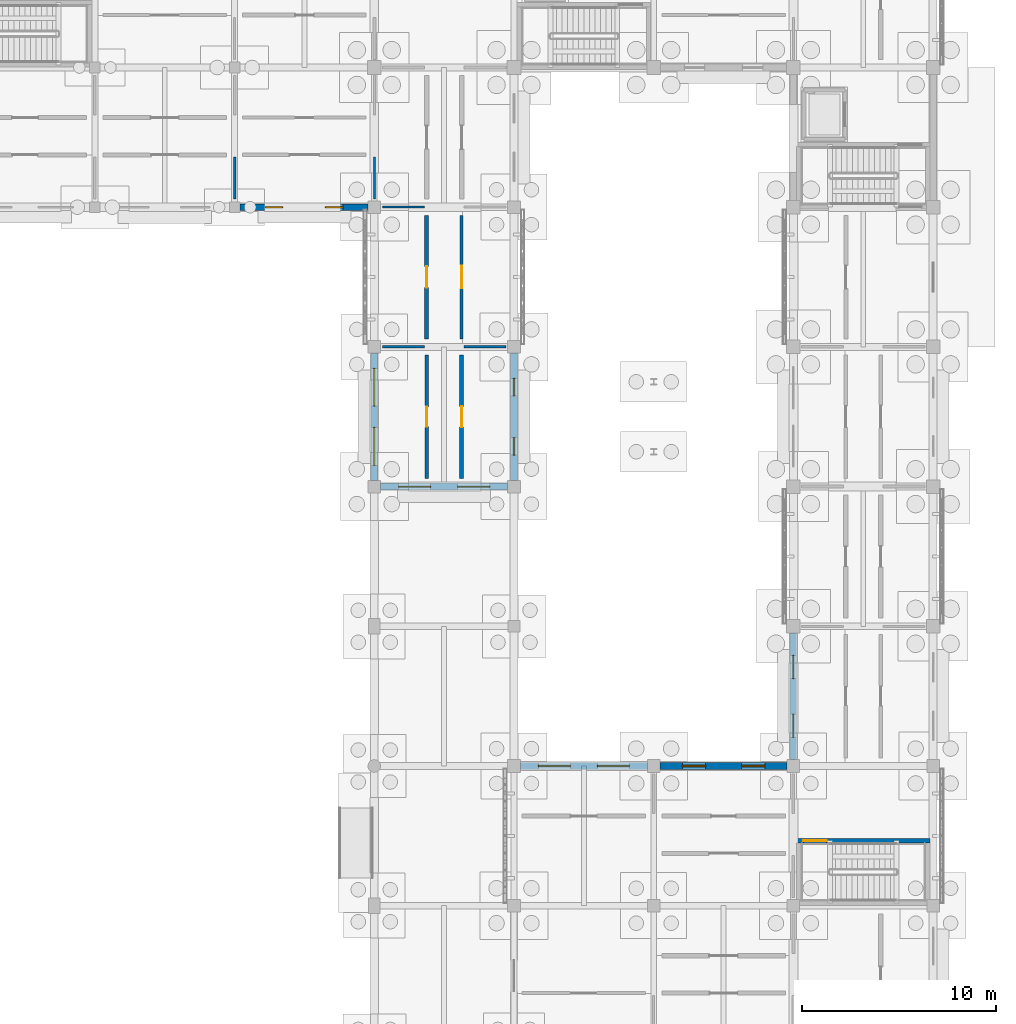
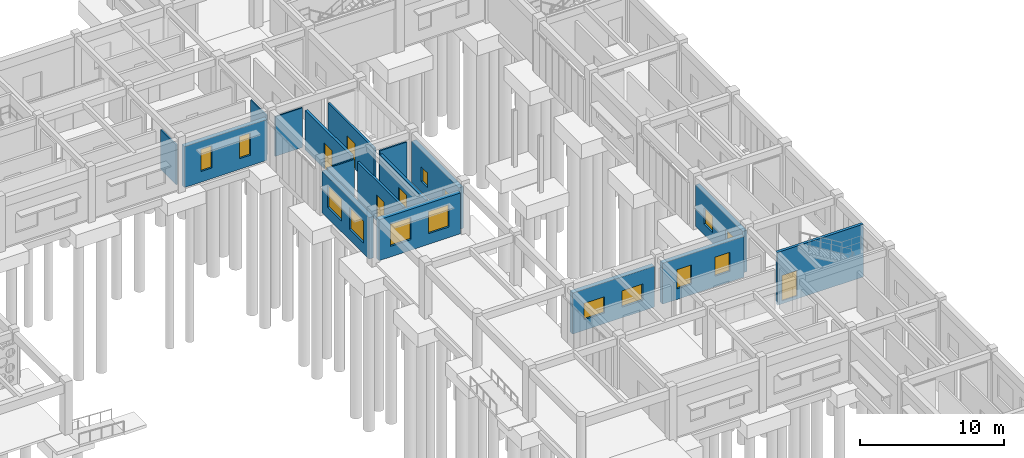
# One storey, part 80 of 111: 17 walls, 14 windows, 5 doors, 19 openings.
"""IFC4 building model written with IfcOpenShell, lengths in metres."""

from ifc_helpers import new_model, si_unit, direction, frame, frame_2d, origin, place, context, subcontext, project, spatial, rectangle, extrude, material, layer, layer_set, type_object, element, fill, save


model = new_model("IFC4")

# Units and contexts
model_context = context("Model", 3, precision=1e-05, world=origin(), true_north=direction((0.0, 1.0)))
body_context = subcontext(model_context, "Body", "Model", "MODEL_VIEW")
ifc_project = project(units=[si_unit("LENGTHUNIT", "METRE"), si_unit("AREAUNIT", "SQUARE_METRE"), si_unit("VOLUMEUNIT", "CUBIC_METRE"), si_unit("PLANEANGLEUNIT", "RADIAN"), si_unit("MASSUNIT", "GRAM", prefix="KILO")], contexts=[model_context])

# Site, building, storey
site_placement = place(None, origin())
site = spatial("IfcSite", under=ifc_project, at=site_placement, CompositionType="ELEMENT")
building_placement = place(site_placement, origin())
building = spatial("IfcBuilding", under=site, at=building_placement, Name="Aldebral Square Health Centre", CompositionType="ELEMENT")
storey_placement = place(building_placement, origin())
storey = spatial("IfcBuildingStorey", under=building, at=storey_placement, Name="L00", CompositionType="ELEMENT", Elevation=0.0)

# Wall, openings, windows
ifc_material_1 = material(Name="Cream cantera stone and concrete wall C35/45", Category="masonry")
ifc_layer_1 = layer(ifc_material_1, 0.340087890625, Name="Cream cantera stone and concrete wall C35/45", Category="masonry")
ifc_layer_set_1 = layer_set([ifc_layer_1], Name="Cream cantera stone and concrete wall C35/45")
wall_type_1 = type_object("IfcWallType", Name="EW-CAN-340", PredefinedType="SOLIDWALL", material=ifc_layer_set_1)
wall_1_placement = place(storey_placement, frame((129.875, 93.60009765625, 0.0), z_axis=(0.0, 0.0, 1.0), x_axis=(1.0, 0.0, 0.0)))
wall_1 = element("IfcWall", 1, at=wall_1_placement, inside=storey, type_object=wall_type_1, Name="L00 V5 exterior wall L00-V5-18-13-S", PredefinedType="SOLIDWALL", context=body_context, shape_type="SweptSolid", body=[
    extrude(rectangle(XDim=6.60009765625, YDim=0.340087890625, at=frame_2d((3.300048828125, 0.0))), origin(), (0.0, 0.0, 1.0), 3.469970703125),
])
opening_1_placement = place(wall_1_placement, frame((1.300048828125, 0.0, 0.89990234375)))
opening_1 = element("IfcOpeningElement", 2, at=opening_1_placement, cuts=wall_1, Name="Opening W46", PredefinedType="OPENING", context=body_context, shape_type="SweptSolid", body=[
    extrude(rectangle(XDim=0.89990234375, YDim=1.8798828125, at=frame_2d((0.449951171875, 0.93994140625))), frame((0.0, 0.18017578125, 0.0), z_axis=(0.0, -1.0, 0.0), x_axis=(1.0, 0.0, 0.0)), (0.0, 0.0, 1.0), 0.360107421875),
])
opening_2_placement = place(wall_1_placement, frame((4.39990234375, 0.0, 0.89990234375)))
opening_2 = element("IfcOpeningElement", 3, at=opening_2_placement, cuts=wall_1, Name="Opening W46", PredefinedType="OPENING", context=body_context, shape_type="SweptSolid", body=[
    extrude(rectangle(XDim=0.89990234375, YDim=1.8798828125, at=frame_2d((0.449951171875, 0.93994140625))), frame((0.0, 0.18017578125, 0.0), z_axis=(0.0, -1.0, 0.0), x_axis=(1.0, 0.0, 0.0)), (0.0, 0.0, 1.0), 0.360107421875),
])
ifc_material_2 = material(Name="Thermally broken aluminium and low-E glass", Category="aluminium")
window_type_1 = type_object("IfcWindowType", Name="WIN-W46", PartitioningType="SINGLE_PANEL", PredefinedType="WINDOW", material=ifc_material_2)
window_1_placement = place(opening_1_placement, origin())
window_1 = element("IfcWindow", 4, at=window_1_placement, inside=storey, type_object=window_type_1, Name="L00 clinical window L00-V5-18-13-S.1", OverallHeight=1.8798828125, OverallWidth=0.89990234375, PartitioningType="SINGLE_PANEL", PredefinedType="WINDOW", context=body_context, shape_type="SweptSolid", body=[
    extrude(rectangle(XDim=0.89990234375, YDim=1.8798828125, at=frame_2d((0.449951171875, 0.93994140625))), frame((0.0, 0.030029296875, 0.0), z_axis=(0.0, -1.0, 0.0), x_axis=(1.0, 0.0, 0.0)), (0.0, 0.0, 1.0), 0.06005859375),
])
fill(opening_1, window_1)
window_2_placement = place(opening_2_placement, origin())
window_2 = element("IfcWindow", 5, at=window_2_placement, inside=storey, type_object=window_type_1, Name="L00 clinical window L00-V5-18-13-S.2", OverallHeight=1.8798828125, OverallWidth=0.89990234375, PartitioningType="SINGLE_PANEL", PredefinedType="WINDOW", context=body_context, shape_type="SweptSolid", body=[
    extrude(rectangle(XDim=0.89990234375, YDim=1.8798828125, at=frame_2d((0.449951171875, 0.93994140625))), frame((0.0, 0.030029296875, 0.0), z_axis=(0.0, -1.0, 0.0), x_axis=(1.0, 0.0, 0.0)), (0.0, 0.0, 1.0), 0.06005859375),
])
fill(opening_2, window_2)

wall_2_placement = place(storey_placement, frame((158.074951171875, 64.800048828125, 0.0), z_axis=(0.0, 0.0, 1.0), x_axis=(-1.0, 0.0, 0.0)))
wall_2 = element("IfcWall", 6, at=wall_2_placement, inside=storey, type_object=wall_type_1, Name="L00 V5 exterior wall L00-V5-21-08-N", PredefinedType="SOLIDWALL", context=body_context, shape_type="SweptSolid", body=[
    extrude(rectangle(XDim=6.550048828125, YDim=0.340087890625, at=frame_2d((3.27490234375, 0.0))), origin(), (0.0, 0.0, 1.0), 3.469970703125),
])
opening_3_placement = place(wall_2_placement, frame((1.14990234375, 0.0, 0.89990234375)))
opening_3 = element("IfcOpeningElement", 7, at=opening_3_placement, cuts=wall_2, Name="Opening W30", PredefinedType="OPENING", context=body_context, shape_type="SweptSolid", body=[
    extrude(rectangle(XDim=1.199951171875, YDim=1.6201171875, at=frame_2d((0.60009765625, 0.81005859375))), frame((0.0, 0.18017578125, 0.0), z_axis=(0.0, -1.0, 0.0), x_axis=(1.0, 0.0, 0.0)), (0.0, 0.0, 1.0), 0.360107421875),
])
opening_4_placement = place(wall_2_placement, frame((4.199951171875, 0.0, 0.89990234375)))
opening_4 = element("IfcOpeningElement", 8, at=opening_4_placement, cuts=wall_2, Name="Opening W30", PredefinedType="OPENING", context=body_context, shape_type="SweptSolid", body=[
    extrude(rectangle(XDim=1.199951171875, YDim=1.6201171875, at=frame_2d((0.60009765625, 0.81005859375))), frame((0.0, 0.18017578125, 0.0), z_axis=(0.0, -1.0, 0.0), x_axis=(1.0, 0.0, 0.0)), (0.0, 0.0, 1.0), 0.360107421875),
])
window_type_2 = type_object("IfcWindowType", Name="WIN-W30", PartitioningType="SINGLE_PANEL", PredefinedType="WINDOW", material=ifc_material_2)
window_3_placement = place(opening_3_placement, origin())
window_3 = element("IfcWindow", 9, at=window_3_placement, inside=storey, type_object=window_type_2, Name="L00 clinical window L00-V5-21-08-N.1", OverallHeight=1.6201171875, OverallWidth=1.199951171875, PartitioningType="SINGLE_PANEL", PredefinedType="WINDOW", context=body_context, shape_type="SweptSolid", body=[
    extrude(rectangle(XDim=1.199951171875, YDim=1.6201171875, at=frame_2d((0.60009765625, 0.81005859375))), frame((0.0, 0.030029296875, 0.0), z_axis=(0.0, -1.0, 0.0), x_axis=(1.0, 0.0, 0.0)), (0.0, 0.0, 1.0), 0.06005859375),
])
fill(opening_3, window_3)
window_4_placement = place(opening_4_placement, origin())
window_4 = element("IfcWindow", 10, at=window_4_placement, inside=storey, type_object=window_type_2, Name="L00 clinical window L00-V5-21-08-N.2", OverallHeight=1.6201171875, OverallWidth=1.199951171875, PartitioningType="SINGLE_PANEL", PredefinedType="WINDOW", context=body_context, shape_type="SweptSolid", body=[
    extrude(rectangle(XDim=1.199951171875, YDim=1.6201171875, at=frame_2d((0.60009765625, 0.81005859375))), frame((0.0, 0.030029296875, 0.0), z_axis=(0.0, -1.0, 0.0), x_axis=(1.0, 0.0, 0.0)), (0.0, 0.0, 1.0), 0.06005859375),
])
fill(opening_4, window_4)

wall_3_placement = place(storey_placement, frame((158.39990234375, 71.64990234375, 0.0), z_axis=(0.0, 0.0, 1.0), x_axis=(0.0, -1.0, 0.0)))
wall_3 = element("IfcWall", 11, at=wall_3_placement, inside=storey, type_object=wall_type_1, Name="L00 V5 exterior wall L00-V5-22-09-W", PredefinedType="SOLIDWALL", context=body_context, shape_type="SweptSolid", body=[
    extrude(rectangle(XDim=6.52490234375, YDim=0.340087890625, at=frame_2d((3.262451171875, 0.0))), origin(), (0.0, 0.0, 1.0), 3.52001953125),
])
opening_5_placement = place(wall_3_placement, frame((1.14990234375, 0.0, 0.89990234375)))
opening_5 = element("IfcOpeningElement", 12, at=opening_5_placement, cuts=wall_3, Name="Opening W12", PredefinedType="OPENING", context=body_context, shape_type="SweptSolid", body=[
    extrude(rectangle(XDim=1.199951171875, YDim=1.3798828125, at=frame_2d((0.60009765625, 0.68994140625))), frame((0.0, 0.18017578125, 0.0), z_axis=(0.0, -1.0, 0.0), x_axis=(1.0, 0.0, 0.0)), (0.0, 0.0, 1.0), 0.360107421875),
])
opening_6_placement = place(wall_3_placement, frame((4.175048828125, 0.0, 0.89990234375)))
opening_6 = element("IfcOpeningElement", 13, at=opening_6_placement, cuts=wall_3, Name="Opening W12", PredefinedType="OPENING", context=body_context, shape_type="SweptSolid", body=[
    extrude(rectangle(XDim=1.199951171875, YDim=1.3798828125, at=frame_2d((0.60009765625, 0.68994140625))), frame((0.0, 0.18017578125, 0.0), z_axis=(0.0, -1.0, 0.0), x_axis=(1.0, 0.0, 0.0)), (0.0, 0.0, 1.0), 0.360107421875),
])
window_type_3 = type_object("IfcWindowType", Name="WIN-W12", PartitioningType="SINGLE_PANEL", PredefinedType="WINDOW", material=ifc_material_2)
window_5_placement = place(opening_5_placement, origin())
window_5 = element("IfcWindow", 14, at=window_5_placement, inside=storey, type_object=window_type_3, Name="L00 clinical window L00-V5-22-09-W.1", OverallHeight=1.3798828125, OverallWidth=1.199951171875, PartitioningType="SINGLE_PANEL", PredefinedType="WINDOW", context=body_context, shape_type="SweptSolid", body=[
    extrude(rectangle(XDim=1.199951171875, YDim=1.3798828125, at=frame_2d((0.60009765625, 0.68994140625))), frame((0.0, 0.030029296875, 0.0), z_axis=(0.0, -1.0, 0.0), x_axis=(1.0, 0.0, 0.0)), (0.0, 0.0, 1.0), 0.06005859375),
])
fill(opening_5, window_5)
window_6_placement = place(opening_6_placement, origin())
window_6 = element("IfcWindow", 15, at=window_6_placement, inside=storey, type_object=window_type_3, Name="L00 clinical window L00-V5-22-09-W.2", OverallHeight=1.3798828125, OverallWidth=1.199951171875, PartitioningType="SINGLE_PANEL", PredefinedType="WINDOW", context=body_context, shape_type="SweptSolid", body=[
    extrude(rectangle(XDim=1.199951171875, YDim=1.3798828125, at=frame_2d((0.60009765625, 0.68994140625))), frame((0.0, 0.030029296875, 0.0), z_axis=(0.0, -1.0, 0.0), x_axis=(1.0, 0.0, 0.0)), (0.0, 0.0, 1.0), 0.06005859375),
])
fill(opening_6, window_6)

ifc_layer_2 = layer(ifc_material_1, 0.360107421875, Name="Cream cantera stone and concrete wall C35/45", Category="masonry")
ifc_layer_set_2 = layer_set([ifc_layer_2], Name="Cream cantera stone and concrete wall C35/45")
wall_type_2 = type_object("IfcWallType", Name="EW-CAN-360", PredefinedType="SOLIDWALL", material=ifc_layer_set_2)
wall_4_placement = place(storey_placement, frame((137.125, 79.199951171875, 0.0), z_axis=(0.0, 0.0, 1.0), x_axis=(1.0, 0.0, 0.0)))
wall_4 = element("IfcWall", 16, at=wall_4_placement, inside=storey, type_object=wall_type_2, Name="L00 V5 exterior wall L00-V5-19-11-S", PredefinedType="SOLIDWALL", context=body_context, shape_type="SweptSolid", body=[
    extrude(rectangle(XDim=6.550048828125, YDim=0.360107421875, at=frame_2d((3.27490234375, 0.0))), origin(), (0.0, 0.0, 1.0), 3.469970703125),
])
opening_7_placement = place(wall_4_placement, frame((0.925048828125, 0.0, 0.89990234375)))
opening_7 = element("IfcOpeningElement", 17, at=opening_7_placement, cuts=wall_4, Name="Opening W51", PredefinedType="OPENING", context=body_context, shape_type="SweptSolid", body=[
    extrude(rectangle(XDim=1.64990234375, YDim=1.8798828125, at=frame_2d((0.824951171875, 0.93994140625))), frame((0.0, 0.18994140625, 0.0), z_axis=(0.0, -1.0, 0.0), x_axis=(1.0, 0.0, 0.0)), (0.0, 0.0, 1.0), 0.380126953125),
])
opening_8_placement = place(wall_4_placement, frame((3.97509765625, 0.0, 0.89990234375)))
opening_8 = element("IfcOpeningElement", 18, at=opening_8_placement, cuts=wall_4, Name="Opening W51", PredefinedType="OPENING", context=body_context, shape_type="SweptSolid", body=[
    extrude(rectangle(XDim=1.64990234375, YDim=1.8798828125, at=frame_2d((0.824951171875, 0.93994140625))), frame((0.0, 0.18994140625, 0.0), z_axis=(0.0, -1.0, 0.0), x_axis=(1.0, 0.0, 0.0)), (0.0, 0.0, 1.0), 0.380126953125),
])
window_type_4 = type_object("IfcWindowType", Name="WIN-W51", PartitioningType="SINGLE_PANEL", PredefinedType="WINDOW", material=ifc_material_2)
window_7_placement = place(opening_7_placement, origin())
window_7 = element("IfcWindow", 19, at=window_7_placement, inside=storey, type_object=window_type_4, Name="L00 clinical window L00-V5-19-11-S.1", OverallHeight=1.8798828125, OverallWidth=1.64990234375, PartitioningType="SINGLE_PANEL", PredefinedType="WINDOW", context=body_context, shape_type="SweptSolid", body=[
    extrude(rectangle(XDim=1.64990234375, YDim=1.8798828125, at=frame_2d((0.824951171875, 0.93994140625))), frame((0.0, 0.030029296875, 0.0), z_axis=(0.0, -1.0, 0.0), x_axis=(1.0, 0.0, 0.0)), (0.0, 0.0, 1.0), 0.06005859375),
])
fill(opening_7, window_7)
window_8_placement = place(opening_8_placement, origin())
window_8 = element("IfcWindow", 20, at=window_8_placement, inside=storey, type_object=window_type_4, Name="L00 clinical window L00-V5-19-11-S.2", OverallHeight=1.8798828125, OverallWidth=1.64990234375, PartitioningType="SINGLE_PANEL", PredefinedType="WINDOW", context=body_context, shape_type="SweptSolid", body=[
    extrude(rectangle(XDim=1.64990234375, YDim=1.8798828125, at=frame_2d((0.824951171875, 0.93994140625))), frame((0.0, 0.030029296875, 0.0), z_axis=(0.0, -1.0, 0.0), x_axis=(1.0, 0.0, 0.0)), (0.0, 0.0, 1.0), 0.06005859375),
])
fill(opening_8, window_8)

wall_5_placement = place(storey_placement, frame((136.800048828125, 86.074951171875, 0.0), z_axis=(0.0, 0.0, 1.0), x_axis=(0.0, -1.0, 0.0)))
wall_5 = element("IfcWall", 21, at=wall_5_placement, inside=storey, type_object=wall_type_2, Name="L00 V5 exterior wall L00-V5-19-11-W", PredefinedType="SOLIDWALL", context=body_context, shape_type="SweptSolid", body=[
    extrude(rectangle(XDim=6.550048828125, YDim=0.360107421875, at=frame_2d((3.27490234375, 0.0))), origin(), (0.0, 0.0, 1.0), 3.52001953125),
])
opening_9_placement = place(wall_5_placement, frame((0.77490234375, 0.0, 0.89990234375)))
opening_9 = element("IfcOpeningElement", 22, at=opening_9_placement, cuts=wall_5, Name="Opening W53", PredefinedType="OPENING", context=body_context, shape_type="SweptSolid", body=[
    extrude(rectangle(XDim=1.949951171875, YDim=1.8798828125, at=frame_2d((0.97509765625, 0.93994140625))), frame((0.0, 0.18994140625, 0.0), z_axis=(0.0, -1.0, 0.0), x_axis=(1.0, 0.0, 0.0)), (0.0, 0.0, 1.0), 0.380126953125),
])
opening_10_placement = place(wall_5_placement, frame((3.824951171875, 0.0, 0.89990234375)))
opening_10 = element("IfcOpeningElement", 23, at=opening_10_placement, cuts=wall_5, Name="Opening W53", PredefinedType="OPENING", context=body_context, shape_type="SweptSolid", body=[
    extrude(rectangle(XDim=1.949951171875, YDim=1.8798828125, at=frame_2d((0.97509765625, 0.93994140625))), frame((0.0, 0.18994140625, 0.0), z_axis=(0.0, -1.0, 0.0), x_axis=(1.0, 0.0, 0.0)), (0.0, 0.0, 1.0), 0.380126953125),
])
window_type_5 = type_object("IfcWindowType", Name="WIN-W53", PartitioningType="SINGLE_PANEL", PredefinedType="WINDOW", material=ifc_material_2)
window_9_placement = place(opening_9_placement, origin())
window_9 = element("IfcWindow", 24, at=window_9_placement, inside=storey, type_object=window_type_5, Name="L00 clinical window L00-V5-19-11-W.1", OverallHeight=1.8798828125, OverallWidth=1.949951171875, PartitioningType="SINGLE_PANEL", PredefinedType="WINDOW", context=body_context, shape_type="SweptSolid", body=[
    extrude(rectangle(XDim=1.949951171875, YDim=1.8798828125, at=frame_2d((0.97509765625, 0.93994140625))), frame((0.0, 0.030029296875, 0.0), z_axis=(0.0, -1.0, 0.0), x_axis=(1.0, 0.0, 0.0)), (0.0, 0.0, 1.0), 0.06005859375),
])
fill(opening_9, window_9)
window_10_placement = place(opening_10_placement, origin())
window_10 = element("IfcWindow", 25, at=window_10_placement, inside=storey, type_object=window_type_5, Name="L00 clinical window L00-V5-19-11-W.2", OverallHeight=1.8798828125, OverallWidth=1.949951171875, PartitioningType="SINGLE_PANEL", PredefinedType="WINDOW", context=body_context, shape_type="SweptSolid", body=[
    extrude(rectangle(XDim=1.949951171875, YDim=1.8798828125, at=frame_2d((0.97509765625, 0.93994140625))), frame((0.0, 0.030029296875, 0.0), z_axis=(0.0, -1.0, 0.0), x_axis=(1.0, 0.0, 0.0)), (0.0, 0.0, 1.0), 0.06005859375),
])
fill(opening_10, window_10)

wall_6_placement = place(storey_placement, frame((144.0, 79.52490234375, 0.0), z_axis=(0.0, 0.0, 1.0), x_axis=(0.0, 1.0, 0.0)))
wall_6 = element("IfcWall", 26, at=wall_6_placement, inside=storey, type_object=wall_type_2, Name="L00 V5 exterior wall L00-V5-19-11-E", PredefinedType="SOLIDWALL", context=body_context, shape_type="SweptSolid", body=[
    extrude(rectangle(XDim=6.550048828125, YDim=0.360107421875, at=frame_2d((3.27490234375, 0.0))), origin(), (0.0, 0.0, 1.0), 3.52001953125),
])
opening_11_placement = place(wall_6_placement, frame((1.300048828125, 0.0, 0.89990234375)))
opening_11 = element("IfcOpeningElement", 27, at=opening_11_placement, cuts=wall_6, Name="Opening W01", PredefinedType="OPENING", context=body_context, shape_type="SweptSolid", body=[
    extrude(rectangle(XDim=0.89990234375, YDim=1.25, at=frame_2d((0.449951171875, 0.625))), frame((0.0, 0.18994140625, 0.0), z_axis=(0.0, -1.0, 0.0), x_axis=(1.0, 0.0, 0.0)), (0.0, 0.0, 1.0), 0.380126953125),
])
opening_12_placement = place(wall_6_placement, frame((4.35009765625, 0.0, 0.89990234375)))
opening_12 = element("IfcOpeningElement", 28, at=opening_12_placement, cuts=wall_6, Name="Opening W01", PredefinedType="OPENING", context=body_context, shape_type="SweptSolid", body=[
    extrude(rectangle(XDim=0.89990234375, YDim=1.25, at=frame_2d((0.449951171875, 0.625))), frame((0.0, 0.18994140625, 0.0), z_axis=(0.0, -1.0, 0.0), x_axis=(1.0, 0.0, 0.0)), (0.0, 0.0, 1.0), 0.380126953125),
])
window_type_6 = type_object("IfcWindowType", Name="WIN-W01", PartitioningType="SINGLE_PANEL", PredefinedType="WINDOW", material=ifc_material_2)
window_11_placement = place(opening_11_placement, origin())
window_11 = element("IfcWindow", 29, at=window_11_placement, inside=storey, type_object=window_type_6, Name="L00 clinical window L00-V5-19-11-E.1", OverallHeight=1.25, OverallWidth=0.89990234375, PartitioningType="SINGLE_PANEL", PredefinedType="WINDOW", context=body_context, shape_type="SweptSolid", body=[
    extrude(rectangle(XDim=0.89990234375, YDim=1.25, at=frame_2d((0.449951171875, 0.625))), frame((0.0, 0.030029296875, 0.0), z_axis=(0.0, -1.0, 0.0), x_axis=(1.0, 0.0, 0.0)), (0.0, 0.0, 1.0), 0.06005859375),
])
fill(opening_11, window_11)
window_12_placement = place(opening_12_placement, origin())
window_12 = element("IfcWindow", 30, at=window_12_placement, inside=storey, type_object=window_type_6, Name="L00 clinical window L00-V5-19-11-E.2", OverallHeight=1.25, OverallWidth=0.89990234375, PartitioningType="SINGLE_PANEL", PredefinedType="WINDOW", context=body_context, shape_type="SweptSolid", body=[
    extrude(rectangle(XDim=0.89990234375, YDim=1.25, at=frame_2d((0.449951171875, 0.625))), frame((0.0, 0.030029296875, 0.0), z_axis=(0.0, -1.0, 0.0), x_axis=(1.0, 0.0, 0.0)), (0.0, 0.0, 1.0), 0.06005859375),
])
fill(opening_12, window_12)

wall_7_placement = place(storey_placement, frame((150.875, 64.800048828125, 0.0), z_axis=(0.0, 0.0, 1.0), x_axis=(-1.0, 0.0, 0.0)))
wall_7 = element("IfcWall", 31, at=wall_7_placement, inside=storey, type_object=wall_type_2, Name="L00 V5 exterior wall L00-V5-20-08-N", PredefinedType="SOLIDWALL", context=body_context, shape_type="SweptSolid", body=[
    extrude(rectangle(XDim=6.550048828125, YDim=0.360107421875, at=frame_2d((3.27490234375, 0.0))), origin(), (0.0, 0.0, 1.0), 3.469970703125),
])
opening_13_placement = place(wall_7_placement, frame((0.925048828125, 0.0, 0.89990234375)))
opening_13 = element("IfcOpeningElement", 32, at=opening_13_placement, cuts=wall_7, Name="Opening W15", PredefinedType="OPENING", context=body_context, shape_type="SweptSolid", body=[
    extrude(rectangle(XDim=1.64990234375, YDim=1.3798828125, at=frame_2d((0.824951171875, 0.68994140625))), frame((0.0, 0.18994140625, 0.0), z_axis=(0.0, -1.0, 0.0), x_axis=(1.0, 0.0, 0.0)), (0.0, 0.0, 1.0), 0.380126953125),
])
opening_14_placement = place(wall_7_placement, frame((3.97509765625, 0.0, 0.89990234375)))
opening_14 = element("IfcOpeningElement", 33, at=opening_14_placement, cuts=wall_7, Name="Opening W15", PredefinedType="OPENING", context=body_context, shape_type="SweptSolid", body=[
    extrude(rectangle(XDim=1.64990234375, YDim=1.3798828125, at=frame_2d((0.824951171875, 0.68994140625))), frame((0.0, 0.18994140625, 0.0), z_axis=(0.0, -1.0, 0.0), x_axis=(1.0, 0.0, 0.0)), (0.0, 0.0, 1.0), 0.380126953125),
])
window_type_7 = type_object("IfcWindowType", Name="WIN-W15", PartitioningType="SINGLE_PANEL", PredefinedType="WINDOW", material=ifc_material_2)
window_13_placement = place(opening_13_placement, origin())
window_13 = element("IfcWindow", 34, at=window_13_placement, inside=storey, type_object=window_type_7, Name="L00 clinical window L00-V5-20-08-N.1", OverallHeight=1.3798828125, OverallWidth=1.64990234375, PartitioningType="SINGLE_PANEL", PredefinedType="WINDOW", context=body_context, shape_type="SweptSolid", body=[
    extrude(rectangle(XDim=1.64990234375, YDim=1.3798828125, at=frame_2d((0.824951171875, 0.68994140625))), frame((0.0, 0.030029296875, 0.0), z_axis=(0.0, -1.0, 0.0), x_axis=(1.0, 0.0, 0.0)), (0.0, 0.0, 1.0), 0.06005859375),
])
fill(opening_13, window_13)
window_14_placement = place(opening_14_placement, origin())
window_14 = element("IfcWindow", 35, at=window_14_placement, inside=storey, type_object=window_type_7, Name="L00 clinical window L00-V5-20-08-N.2", OverallHeight=1.3798828125, OverallWidth=1.64990234375, PartitioningType="SINGLE_PANEL", PredefinedType="WINDOW", context=body_context, shape_type="SweptSolid", body=[
    extrude(rectangle(XDim=1.64990234375, YDim=1.3798828125, at=frame_2d((0.824951171875, 0.68994140625))), frame((0.0, 0.030029296875, 0.0), z_axis=(0.0, -1.0, 0.0), x_axis=(1.0, 0.0, 0.0)), (0.0, 0.0, 1.0), 0.06005859375),
])
fill(opening_14, window_14)

# Wall, opening, door
ifc_material_3 = material(Name="Fire-rated acoustic gypsum partition")
ifc_layer_3 = layer(ifc_material_3, 0.1650390625, Name="Fire-rated acoustic gypsum partition")
ifc_layer_set_3 = layer_set([ifc_layer_3], Name="Fire-rated acoustic gypsum partition")
wall_type_3 = type_object("IfcWallType", Name="IW-COR-165", PredefinedType="PARTITIONING", material=ifc_layer_set_3)
wall_8_placement = place(storey_placement, frame((141.300048828125, 86.820068359375, 0.0), z_axis=(0.0, 0.0, 1.0), x_axis=(0.0, 1.0, 0.0)))
wall_8 = element("IfcWall", 36, at=wall_8_placement, inside=storey, type_object=wall_type_3, Name="L00 Maternal-Child Clinic 20.13E corridor wall", PredefinedType="PARTITIONING", context=body_context, shape_type="SweptSolid", body=[
    extrude(rectangle(XDim=6.35986328125, YDim=0.1650390625, at=frame_2d((3.179931640625, 0.0))), origin(), (0.0, 0.0, 1.0), 3.360107421875),
])
opening_15_placement = place(wall_8_placement, frame((2.610107421875, 0.0, 0.0)))
opening_15 = element("IfcOpeningElement", 37, at=opening_15_placement, cuts=wall_8, Name="Opening D-0138", PredefinedType="OPENING", context=body_context, shape_type="SweptSolid", body=[
    extrude(rectangle(XDim=1.139892578125, YDim=2.18994140625, at=frame_2d((0.56982421875, 1.094970703125))), frame((0.0, 0.092529296875, 0.0), z_axis=(0.0, -1.0, 0.0), x_axis=(1.0, 0.0, 0.0)), (0.0, 0.0, 1.0), 0.18505859375),
])
ifc_material_4 = material(Name="Clinical suite fire door")
door_type_1 = type_object("IfcDoorType", Name="ID-EXD-54", OperationType="NOTDEFINED", PredefinedType="DOOR", material=ifc_material_4)
door_1_placement = place(opening_15_placement, origin())
door_1 = element("IfcDoor", 38, at=door_1_placement, inside=storey, type_object=door_type_1, Name="L00 Maternal-Child Clinic 20.13E door", OperationType="SINGLE_SWING_LEFT", OverallHeight=2.18994140625, OverallWidth=1.139892578125, PredefinedType="DOOR", context=body_context, shape_type="SweptSolid", body=[
    extrude(rectangle(XDim=1.139892578125, YDim=2.18994140625, at=frame_2d((0.56982421875, 1.094970703125))), frame((0.0, 0.02490234375, 0.0), z_axis=(0.0, -1.0, 0.0), x_axis=(1.0, 0.0, 0.0)), (0.0, 0.0, 1.0), 0.050048828125),
])
fill(opening_15, door_1)

ifc_layer_4 = layer(ifc_material_3, 0.179931640625, Name="Fire-rated acoustic gypsum partition")
ifc_layer_set_4 = layer_set([ifc_layer_4], Name="Fire-rated acoustic gypsum partition")
wall_type_4 = type_object("IfcWallType", Name="IW-COR-180", PredefinedType="PARTITIONING", material=ifc_layer_set_4)
wall_9_placement = place(storey_placement, frame((139.5, 79.6201171875, 0.0), z_axis=(0.0, 0.0, 1.0), x_axis=(0.0, 1.0, 0.0)))
wall_9 = element("IfcWall", 39, at=wall_9_placement, inside=storey, type_object=wall_type_4, Name="L00 Standby Power Plant Room 20.12W corridor wall", PredefinedType="PARTITIONING", context=body_context, shape_type="SweptSolid", body=[
    extrude(rectangle(XDim=6.35986328125, YDim=0.179931640625, at=frame_2d((3.179931640625, 0.0))), origin(), (0.0, 0.0, 1.0), 3.360107421875),
])
opening_16_placement = place(wall_9_placement, frame((2.669921875, 0.0, 0.0)))
opening_16 = element("IfcOpeningElement", 40, at=opening_16_placement, cuts=wall_9, Name="Opening D-0135", PredefinedType="OPENING", context=body_context, shape_type="SweptSolid", body=[
    extrude(rectangle(XDim=1.02001953125, YDim=2.18994140625, at=frame_2d((0.510009765625, 1.094970703125))), frame((0.0, 0.10009765625, 0.0), z_axis=(0.0, -1.0, 0.0), x_axis=(1.0, 0.0, 0.0)), (0.0, 0.0, 1.0), 0.199951171875),
])
door_type_2 = type_object("IfcDoorType", Name="ID-EXD-51", OperationType="NOTDEFINED", PredefinedType="DOOR", material=ifc_material_4)
door_2_placement = place(opening_16_placement, origin())
door_2 = element("IfcDoor", 41, at=door_2_placement, inside=storey, type_object=door_type_2, Name="L00 Standby Power Plant Room 20.12W door", OperationType="SINGLE_SWING_RIGHT", OverallHeight=2.18994140625, OverallWidth=1.02001953125, PredefinedType="DOOR", context=body_context, shape_type="SweptSolid", body=[
    extrude(rectangle(XDim=1.02001953125, YDim=2.18994140625, at=frame_2d((0.510009765625, 1.094970703125))), frame((0.0, 0.02490234375, 0.0), z_axis=(0.0, -1.0, 0.0), x_axis=(1.0, 0.0, 0.0)), (0.0, 0.0, 1.0), 0.050048828125),
])
fill(opening_16, door_2)

ifc_material_5 = material(Name="Concrete C40/50", Category="concrete")
ifc_layer_5 = layer(ifc_material_5, 0.219970703125, Name="Concrete C40/50", Category="concrete")
ifc_layer_set_5 = layer_set([ifc_layer_5], Name="Concrete C40/50")
wall_type_5 = type_object("IfcWallType", Name="IW-CORE-280", PredefinedType="SHEAR", material=ifc_layer_set_5)
wall_10_placement = place(storey_placement, frame((158.56005859375, 60.949951171875, -0.25), z_axis=(0.0, 0.0, 1.0), x_axis=(1.0, 0.0, 0.0)))
wall_10 = element("IfcWall", 42, at=wall_10_placement, inside=storey, type_object=wall_type_5, Name="L00 WS-S9 shaft wall N", PredefinedType="SHEAR", context=body_context, shape_type="SweptSolid", body=[
    extrude(rectangle(XDim=6.8798828125, YDim=0.219970703125, at=frame_2d((3.43994140625, 0.0))), origin(), (0.0, 0.0, 1.0), 4.469970703125),
])
opening_17_placement = place(wall_10_placement, frame((0.35009765625, 0.0, 0.25)))
opening_17 = element("IfcOpeningElement", 43, at=opening_17_placement, cuts=wall_10, Name="Opening D-0072", PredefinedType="OPENING", context=body_context, shape_type="SweptSolid", body=[
    extrude(rectangle(XDim=1.199951171875, YDim=2.14990234375, at=frame_2d((0.60009765625, 1.074951171875))), frame((0.0, 0.1201171875, 0.0), z_axis=(0.0, -1.0, 0.0), x_axis=(1.0, 0.0, 0.0)), (0.0, 0.0, 1.0), 0.239990234375),
])
ifc_material_6 = material(Name="Fire-rated steel stair door", Category="steel")
door_type_3 = type_object("IfcDoorType", Name="ID-ST-120", OperationType="NOTDEFINED", PredefinedType="DOOR", material=ifc_material_6)
door_3_placement = place(opening_17_placement, origin())
door_3 = element("IfcDoor", 44, at=door_3_placement, inside=storey, type_object=door_type_3, Name="L00 ST-09 fire door", OperationType="SINGLE_SWING_RIGHT", OverallHeight=2.14990234375, OverallWidth=1.199951171875, PredefinedType="DOOR", context=body_context, shape_type="SweptSolid", body=[
    extrude(rectangle(XDim=1.199951171875, YDim=2.14990234375, at=frame_2d((0.60009765625, 1.074951171875))), frame((0.0, 0.02490234375, 0.0), z_axis=(0.0, -1.0, 0.0), x_axis=(1.0, 0.0, 0.0)), (0.0, 0.0, 1.0), 0.050048828125),
])
fill(opening_17, door_3)

ifc_material_7 = material(Name="Moisture-resistant sanitary chase wall")
ifc_layer_6 = layer(ifc_material_7, 0.2099609375, Name="Moisture-resistant sanitary chase wall")
ifc_layer_set_6 = layer_set([ifc_layer_6], Name="Moisture-resistant sanitary chase wall")
wall_type_6 = type_object("IfcWallType", Name="IW-PLB-210", PredefinedType="PLUMBINGWALL", material=ifc_layer_set_6)
wall_11_placement = place(storey_placement, frame((141.300048828125, 79.6201171875, 0.0), z_axis=(0.0, 0.0, 1.0), x_axis=(0.0, 1.0, 0.0)))
wall_11 = element("IfcWall", 45, at=wall_11_placement, inside=storey, type_object=wall_type_6, Name="L00 Accessible WC 20.12E corridor wall", PredefinedType="PLUMBINGWALL", context=body_context, shape_type="SweptSolid", body=[
    extrude(rectangle(XDim=6.35986328125, YDim=0.2099609375, at=frame_2d((3.179931640625, 0.0))), origin(), (0.0, 0.0, 1.0), 3.360107421875),
])
opening_18_placement = place(wall_11_placement, frame((2.64990234375, 0.0, 0.0)))
opening_18 = element("IfcOpeningElement", 46, at=opening_18_placement, cuts=wall_11, Name="Opening D-0136", PredefinedType="OPENING", context=body_context, shape_type="SweptSolid", body=[
    extrude(rectangle(XDim=1.06005859375, YDim=2.18994140625, at=frame_2d((0.530029296875, 1.094970703125))), frame((0.0, 0.114990234375, 0.0), z_axis=(0.0, -1.0, 0.0), x_axis=(1.0, 0.0, 0.0)), (0.0, 0.0, 1.0), 0.22998046875),
])
door_type_4 = type_object("IfcDoorType", Name="ID-EXD-52", OperationType="NOTDEFINED", PredefinedType="DOOR", material=ifc_material_4)
door_4_placement = place(opening_18_placement, origin())
door_4 = element("IfcDoor", 47, at=door_4_placement, inside=storey, type_object=door_type_4, Name="L00 Accessible WC 20.12E door", OperationType="SINGLE_SWING_LEFT", OverallHeight=2.18994140625, OverallWidth=1.06005859375, PredefinedType="DOOR", context=body_context, shape_type="SweptSolid", body=[
    extrude(rectangle(XDim=1.06005859375, YDim=2.18994140625, at=frame_2d((0.530029296875, 1.094970703125))), frame((0.0, 0.02490234375, 0.0), z_axis=(0.0, -1.0, 0.0), x_axis=(1.0, 0.0, 0.0)), (0.0, 0.0, 1.0), 0.050048828125),
])
fill(opening_18, door_4)

wall_12_placement = place(storey_placement, frame((139.5, 86.820068359375, 0.0), z_axis=(0.0, 0.0, 1.0), x_axis=(0.0, 1.0, 0.0)))
wall_12 = element("IfcWall", 48, at=wall_12_placement, inside=storey, type_object=wall_type_6, Name="L00 Public Toilet 20.13W corridor wall", PredefinedType="PLUMBINGWALL", context=body_context, shape_type="SweptSolid", body=[
    extrude(rectangle(XDim=6.35986328125, YDim=0.2099609375, at=frame_2d((3.179931640625, 0.0))), origin(), (0.0, 0.0, 1.0), 3.360107421875),
])
opening_19_placement = place(wall_12_placement, frame((2.6298828125, 0.0, 0.0)))
opening_19 = element("IfcOpeningElement", 49, at=opening_19_placement, cuts=wall_12, Name="Opening D-0137", PredefinedType="OPENING", context=body_context, shape_type="SweptSolid", body=[
    extrude(rectangle(XDim=1.10009765625, YDim=2.18994140625, at=frame_2d((0.550048828125, 1.094970703125))), frame((0.0, 0.114990234375, 0.0), z_axis=(0.0, -1.0, 0.0), x_axis=(1.0, 0.0, 0.0)), (0.0, 0.0, 1.0), 0.22998046875),
])
door_type_5 = type_object("IfcDoorType", Name="ID-EXD-53", OperationType="NOTDEFINED", PredefinedType="DOOR", material=ifc_material_4)
door_5_placement = place(opening_19_placement, origin())
door_5 = element("IfcDoor", 50, at=door_5_placement, inside=storey, type_object=door_type_5, Name="L00 Public Toilet 20.13W door", OperationType="SINGLE_SWING_RIGHT", OverallHeight=2.18994140625, OverallWidth=1.10009765625, PredefinedType="DOOR", context=body_context, shape_type="SweptSolid", body=[
    extrude(rectangle(XDim=1.10009765625, YDim=2.18994140625, at=frame_2d((0.550048828125, 1.094970703125))), frame((0.0, 0.02490234375, 0.0), z_axis=(0.0, -1.0, 0.0), x_axis=(1.0, 0.0, 0.0)), (0.0, 0.0, 1.0), 0.050048828125),
])
fill(opening_19, door_5)

# Walls
ifc_material_8 = material(Name="Lightweight clinical partition")
ifc_layer_7 = layer(ifc_material_8, 0.10498046875, Name="Lightweight clinical partition")
ifc_layer_set_7 = layer_set([ifc_layer_7], Name="Lightweight clinical partition")
wall_type_7 = type_object("IfcWallType", Name="IW-PRT-105", PredefinedType="PARTITIONING", material=ifc_layer_set_7)
for number, where, z_axis, x_axis, name in (
    (51, (136.800048828125, 94.02001953125, 0.0), (0.0, 0.0, 1.0), (0.0, 1.0, 0.0), "L00 Prenatal Ultrasound Room 19.14S demising partition"),
    (52, (137.219970703125, 93.60009765625, 0.0), (0.0, 0.0, 1.0), (1.0, 0.0, 0.0), "L00 Public Toilet 20.13W demising partition"),
):
    element("IfcWall", number, at=place(storey_placement, frame(where, z_axis=z_axis, x_axis=x_axis)), inside=storey, type_object=wall_type_7, Name=name, PredefinedType="PARTITIONING", context=body_context, shape_type="SweptSolid", body=[
        extrude(rectangle(XDim=2.159912109375, YDim=0.10498046875, at=frame_2d((1.080078125, 0.0))), origin(), (0.0, 0.0, 1.0), 3.360107421875),
    ])
ifc_material_9 = material(Name="Acoustic clinical gypsum partition")
ifc_layer_8 = layer(ifc_material_9, 0.1201171875, Name="Acoustic clinical gypsum partition")
ifc_layer_set_8 = layer_set([ifc_layer_8], Name="Acoustic clinical gypsum partition")
wall_type_8 = type_object("IfcWallType", Name="IW-PRT-120", PredefinedType="PARTITIONING", material=ifc_layer_set_8)
for number, where, z_axis, x_axis, name in (
    (53, (129.60009765625, 94.02001953125, 0.0), (0.0, 0.0, 1.0), (0.0, 1.0, 0.0), "L00 Accessible WC 18.14S demising partition"),
    (54, (137.219970703125, 86.39990234375, 0.0), (0.0, 0.0, 1.0), (1.0, 0.0, 0.0), "L00 Standby Power Plant Room 20.12W demising partition"),
):
    element("IfcWall", number, at=place(storey_placement, frame(where, z_axis=z_axis, x_axis=x_axis)), inside=storey, type_object=wall_type_8, Name=name, PredefinedType="PARTITIONING", context=body_context, shape_type="SweptSolid", body=[
        extrude(rectangle(XDim=2.159912109375, YDim=0.1201171875, at=frame_2d((1.080078125, 0.0))), origin(), (0.0, 0.0, 1.0), 3.360107421875),
    ])
wall_13_placement = place(storey_placement, frame((141.419921875, 86.39990234375, 0.0), z_axis=(0.0, 0.0, 1.0), x_axis=(1.0, 0.0, 0.0)))
element("IfcWall", 55, at=wall_13_placement, inside=storey, type_object=wall_type_8, Name="L00 Accessible WC 20.12E demising partition", PredefinedType="PARTITIONING", context=body_context, shape_type="SweptSolid", body=[
    extrude(rectangle(XDim=2.16015625, YDim=0.1201171875, at=frame_2d((1.080078125, 0.0))), origin(), (0.0, 0.0, 1.0), 3.360107421875),
])

save(model, "model.ifc")
